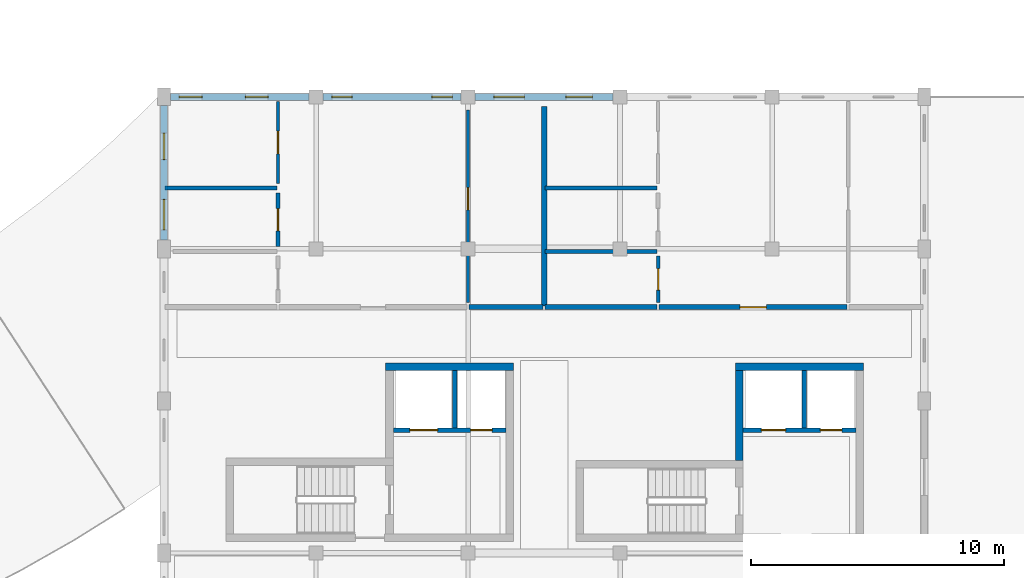
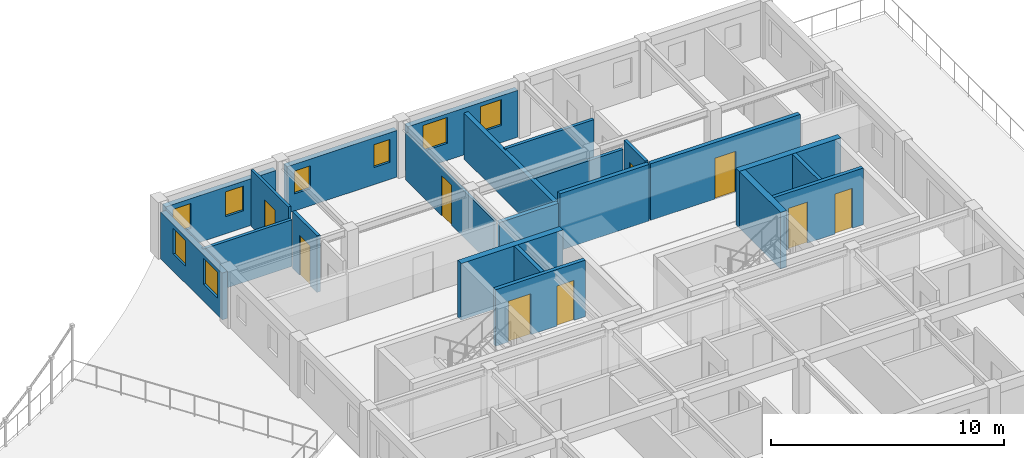
# One storey, part 32 of 58: 22 walls, 9 doors, 8 windows, 17 openings.
"""IFC4 building model written with IfcOpenShell, lengths in metres."""

from ifc_helpers import new_model, si_unit, direction, frame, frame_2d, origin, place, context, subcontext, project, spatial, rectangle, extrude, material, layer, layer_set, type_object, element, fill, save


model = new_model("IFC4")

# Units and contexts
model_context = context("Model", 3, precision=1e-05, world=origin(), true_north=direction((0.0, 1.0)))
body_context = subcontext(model_context, "Body", "Model", "MODEL_VIEW")
ifc_project = project(units=[si_unit("LENGTHUNIT", "METRE"), si_unit("AREAUNIT", "SQUARE_METRE"), si_unit("VOLUMEUNIT", "CUBIC_METRE"), si_unit("PLANEANGLEUNIT", "RADIAN"), si_unit("MASSUNIT", "GRAM", prefix="KILO"), si_unit("POWERUNIT", "WATT"), si_unit("THERMODYNAMICTEMPERATUREUNIT", "KELVIN")], contexts=[model_context])

# Site, building, storey
site_placement = place(None, origin())
site = spatial("IfcSite", under=ifc_project, at=site_placement, CompositionType="ELEMENT")
building_placement = place(site_placement, origin())
building = spatial("IfcBuilding", under=site, at=building_placement, Name="Ruvembo Vaulted Housing Court", CompositionType="ELEMENT")
storey_placement = place(building_placement, frame((0.0, 0.0, 20.5)))
storey = spatial("IfcBuildingStorey", under=building, at=storey_placement, Name="L06", CompositionType="ELEMENT", Elevation=20.5)

# Walls
ifc_material_1 = material(Name="Concrete C35/45", Category="concrete")
ifc_layer_1 = layer(ifc_material_1, 0.300048828125, Name="Concrete C35/45")
ifc_layer_set_1 = layer_set([ifc_layer_1], Name="Concrete C35/45")
wall_type_1 = type_object("IfcWallType", Name="WL-CORE-300", PredefinedType="SHEAR", material=ifc_layer_set_1)
for number, where, z_axis, x_axis, name in (
    (1, (115.800048828125, 19.35009765625, 0.0), (0.0, 0.0, 1.0), (-1.0, 0.0, 0.0), "Core C1 L06 North Shear Wall"),
    (2, (129.60009765625, 19.35009765625, 0.0), (0.0, 0.0, 1.0), (-1.0, 0.0, 0.0), "Core C2 L06 North Shear Wall"),
):
    element("IfcWall", number, at=place(storey_placement, frame(where, z_axis=z_axis, x_axis=x_axis)), inside=storey, type_object=wall_type_1, Name=name, PredefinedType="SHEAR", context=body_context, shape_type="SweptSolid", body=[
        extrude(rectangle(XDim=5.050048828125, YDim=0.300048828125, at=frame_2d((2.52490234375, 0.0))), origin(), (0.0, 0.0, 1.0), 2.969970703125),
    ])
wall_1_placement = place(storey_placement, frame((124.699951171875, 15.64990234375, 0.0), z_axis=(0.0, 0.0, 1.0), x_axis=(0.0, 1.0, 0.0)))
element("IfcWall", 3, at=wall_1_placement, inside=storey, type_object=wall_type_1, Name="Core C2 L06 Upper West Shear Wall", PredefinedType="SHEAR", context=body_context, shape_type="SweptSolid", body=[
    extrude(rectangle(XDim=3.550048828125, YDim=0.300048828125, at=frame_2d((1.77490234375, 0.0))), origin(), (0.0, 0.0, 1.0), 2.969970703125),
])
ifc_material_2 = material(Name="Concrete Blockwork 200", Category="masonry")
ifc_layer_2 = layer(ifc_material_2, 0.199951171875, Name="Concrete Blockwork 200")
ifc_layer_set_2 = layer_set([ifc_layer_2], Name="Concrete Blockwork 200")
wall_type_2 = type_object("IfcWallType", Name="WL-CORR-200", PredefinedType="SOLIDWALL", material=ifc_layer_set_2)
wall_2_placement = place(storey_placement, frame((114.0400390625, 21.699951171875, 0.0), z_axis=(0.0, 0.0, 1.0), x_axis=(1.0, 0.0, 0.0)))
element("IfcWall", 4, at=wall_2_placement, inside=storey, type_object=wall_type_2, Name="L06 Flat C-L06-N1 Corridor Wall 2 WL-INT-L06-01809", PredefinedType="SOLIDWALL", context=body_context, shape_type="SweptSolid", body=[
    extrude(rectangle(XDim=2.919921875, YDim=0.199951171875, at=frame_2d((1.4599609375, 0.0))), origin(), (0.0, 0.0, 1.0), 2.508056640625),
])
wall_3_placement = place(storey_placement, frame((117.0400390625, 21.699951171875, 0.0), z_axis=(0.0, 0.0, 1.0), x_axis=(1.0, 0.0, 0.0)))
element("IfcWall", 5, at=wall_3_placement, inside=storey, type_object=wall_type_2, Name="L06 Flat C-L06-N2 Corridor Wall WL-INT-L06-01811", PredefinedType="SOLIDWALL", context=body_context, shape_type="SweptSolid", body=[
    extrude(rectangle(XDim=4.419921875, YDim=0.199951171875, at=frame_2d((2.2099609375, 0.0))), origin(), (0.0, 0.0, 1.0), 2.969970703125),
])

# Wall, opening, door
wall_4_placement = place(storey_placement, frame((121.5400390625, 21.699951171875, 0.0), z_axis=(0.0, 0.0, 1.0), x_axis=(1.0, 0.0, 0.0)))
wall_4 = element("IfcWall", 6, at=wall_4_placement, inside=storey, type_object=wall_type_2, Name="L06 Flat C-L06-N2 Entrance WL-INT-L06-01812", PredefinedType="SOLIDWALL", context=body_context, shape_type="SweptSolid", body=[
    extrude(rectangle(XDim=7.419921875, YDim=0.199951171875, at=frame_2d((3.7099609375, 0.0))), origin(), (0.0, 0.0, 1.0), 2.969970703125),
])
opening_1_placement = place(wall_4_placement, frame((3.18505859375, 0.0, 0.0)))
opening_1 = element("IfcOpeningElement", 7, at=opening_1_placement, cuts=wall_4, Name="Opening FD3", PredefinedType="OPENING", context=body_context, shape_type="SweptSolid", body=[
    extrude(rectangle(XDim=1.050048828125, YDim=2.14990234375, at=frame_2d((0.52490234375, 1.074951171875))), frame((0.0, 0.10986328125, 0.0), z_axis=(0.0, -1.0, 0.0), x_axis=(1.0, 0.0, 0.0)), (0.0, 0.0, 1.0), 0.219970703125),
])
ifc_material_3 = material(Name="FSC Hardwood and Engineered Timber", Category="wood")
door_type_1 = type_object("IfcDoorType", Name="DR-FLAT-1050x2150", OperationType="NOTDEFINED", PredefinedType="DOOR", material=ifc_material_3)
door_1_placement = place(opening_1_placement, origin())
door_1 = element("IfcDoor", 8, at=door_1_placement, inside=storey, type_object=door_type_1, Name="L06 Flat C-L06-N2 Entrance Door DR-INT-L06-01022", OperationType="SINGLE_SWING_RIGHT", OverallHeight=2.14990234375, OverallWidth=1.050048828125, PredefinedType="DOOR", context=body_context, shape_type="SweptSolid", body=[
    extrude(rectangle(XDim=1.050048828125, YDim=2.14990234375, at=frame_2d((0.52490234375, 1.074951171875))), frame((0.0, 0.02490234375, 0.0), z_axis=(0.0, -1.0, 0.0), x_axis=(1.0, 0.0, 0.0)), (0.0, 0.0, 1.0), 0.050048828125),
])
fill(opening_1, door_1)

# Wall
ifc_material_4 = material(Name="Acoustic Masonry Demising 220", Category="masonry")
ifc_layer_3 = layer(ifc_material_4, 0.219970703125, Name="Acoustic Masonry Demising 220")
ifc_layer_set_3 = layer_set([ifc_layer_3], Name="Acoustic Masonry Demising 220")
wall_type_3 = type_object("IfcWallType", Name="WL-DEM-200", PredefinedType="SOLIDWALL", material=ifc_layer_set_3)
wall_5_placement = place(storey_placement, frame((117.0, 21.739990234375, 0.0), z_axis=(0.0, 0.0, 1.0), x_axis=(0.0, 1.0, 0.0)))
element("IfcWall", 9, at=wall_5_placement, inside=storey, type_object=wall_type_3, Name="L06 Demising C-L06-N1 WL-INT-L06-01801", PredefinedType="SOLIDWALL", context=body_context, shape_type="SweptSolid", body=[
    extrude(rectangle(XDim=7.8701171875, YDim=0.219970703125, at=frame_2d((3.93505859375, 0.0))), origin(), (0.0, 0.0, 1.0), 2.407958984375),
])

# Wall, openings, windows
ifc_material_5 = material(Name="Rendered Masonry 270", Category="masonry")
ifc_layer_4 = layer(ifc_material_5, 0.27001953125, Name="Rendered Masonry 270")
ifc_layer_set_4 = layer_set([ifc_layer_4], Name="Rendered Masonry 270")
wall_type_4 = type_object("IfcWallType", Name="WL-EXT-270", PredefinedType="STANDARD", material=ifc_layer_set_4)
wall_6_placement = place(storey_placement, frame((119.72509765625, 30.0, 0.0), z_axis=(0.0, 0.0, 1.0), x_axis=(-1.0, 0.0, 0.0)))
wall_6 = element("IfcWall", 10, at=wall_6_placement, inside=storey, type_object=wall_type_4, Name="Block C L06 Exterior Wall COURTYARD #3", PredefinedType="STANDARD", context=body_context, shape_type="SweptSolid", body=[
    extrude(rectangle(XDim=5.4501953125, YDim=0.27001953125, at=frame_2d((2.72509765625, 0.0))), origin(), (0.0, 0.0, 1.0), 2.451904296875),
])
opening_2_placement = place(wall_6_placement, frame((0.8173828125, 0.0, 0.89990234375)))
opening_2 = element("IfcOpeningElement", 11, at=opening_2_placement, cuts=wall_6, Name="Opening W09", PredefinedType="OPENING", context=body_context, shape_type="SweptSolid", body=[
    extrude(rectangle(XDim=1.050048828125, YDim=1.35009765625, at=frame_2d((0.52490234375, 0.675048828125))), frame((0.0, 0.14501953125, 0.0), z_axis=(0.0, -1.0, 0.0), x_axis=(1.0, 0.0, 0.0)), (0.0, 0.0, 1.0), 0.2900390625),
])
opening_3_placement = place(wall_6_placement, frame((3.507568359375, 0.0, 0.89990234375)))
opening_3 = element("IfcOpeningElement", 12, at=opening_3_placement, cuts=wall_6, Name="Opening W12", PredefinedType="OPENING", context=body_context, shape_type="SweptSolid", body=[
    extrude(rectangle(XDim=1.199951171875, YDim=1.35009765625, at=frame_2d((0.60009765625, 0.675048828125))), frame((0.0, 0.14501953125, 0.0), z_axis=(0.0, -1.0, 0.0), x_axis=(1.0, 0.0, 0.0)), (0.0, 0.0, 1.0), 0.2900390625),
])
ifc_material_6 = material(Name="Double Solar-Control Glazing in Aluminium Frame", Category="aluminium")
window_type_1 = type_object("IfcWindowType", Name="WIN-1050x1350", PartitioningType="SINGLE_PANEL", PredefinedType="WINDOW", material=ifc_material_6)
window_1_placement = place(opening_2_placement, origin())
window_1 = element("IfcWindow", 13, at=window_1_placement, inside=storey, type_object=window_type_1, Name="Block C L06 Window #1348", OverallHeight=1.35009765625, OverallWidth=1.050048828125, PartitioningType="SINGLE_PANEL", PredefinedType="WINDOW", context=body_context, shape_type="SweptSolid", body=[
    extrude(rectangle(XDim=1.050048828125, YDim=1.35009765625, at=frame_2d((0.52490234375, 0.675048828125))), frame((0.0, 0.030029296875, 0.0), z_axis=(0.0, -1.0, 0.0), x_axis=(1.0, 0.0, 0.0)), (0.0, 0.0, 1.0), 0.06005859375),
])
fill(opening_2, window_1)
window_type_2 = type_object("IfcWindowType", Name="WIN-1200x1350", PartitioningType="SINGLE_PANEL", PredefinedType="WINDOW", material=ifc_material_6)
window_2_placement = place(opening_3_placement, origin())
window_2 = element("IfcWindow", 14, at=window_2_placement, inside=storey, type_object=window_type_2, Name="Block C L06 Window #1349", OverallHeight=1.35009765625, OverallWidth=1.199951171875, PartitioningType="SINGLE_PANEL", PredefinedType="WINDOW", context=body_context, shape_type="SweptSolid", body=[
    extrude(rectangle(XDim=1.199951171875, YDim=1.35009765625, at=frame_2d((0.60009765625, 0.675048828125))), frame((0.0, 0.030029296875, 0.0), z_axis=(0.0, -1.0, 0.0), x_axis=(1.0, 0.0, 0.0)), (0.0, 0.0, 1.0), 0.06005859375),
])
fill(opening_3, window_2)

wall_7_placement = place(storey_placement, frame((113.72509765625, 30.0, 0.0), z_axis=(0.0, 0.0, 1.0), x_axis=(-1.0, 0.0, 0.0)))
wall_7 = element("IfcWall", 15, at=wall_7_placement, inside=storey, type_object=wall_type_4, Name="Block C L06 Exterior Wall COURTYARD #4", PredefinedType="STANDARD", context=body_context, shape_type="SweptSolid", body=[
    extrude(rectangle(XDim=5.4501953125, YDim=0.27001953125, at=frame_2d((2.72509765625, 0.0))), origin(), (0.0, 0.0, 1.0), 2.451904296875),
])
opening_4_placement = place(wall_7_placement, frame((0.35009765625, 0.0, 0.89990234375)))
opening_4 = element("IfcOpeningElement", 16, at=opening_4_placement, cuts=wall_7, Name="Opening W02", PredefinedType="OPENING", context=body_context, shape_type="SweptSolid", body=[
    extrude(rectangle(XDim=0.800048828125, YDim=1.199951171875, at=frame_2d((0.39990234375, 0.60009765625))), frame((0.0, 0.14501953125, 0.0), z_axis=(0.0, -1.0, 0.0), x_axis=(1.0, 0.0, 0.0)), (0.0, 0.0, 1.0), 0.2900390625),
])
opening_5_placement = place(wall_7_placement, frame((4.300048828125, 0.0, 0.89990234375)))
opening_5 = element("IfcOpeningElement", 17, at=opening_5_placement, cuts=wall_7, Name="Opening W02", PredefinedType="OPENING", context=body_context, shape_type="SweptSolid", body=[
    extrude(rectangle(XDim=0.800048828125, YDim=1.199951171875, at=frame_2d((0.39990234375, 0.60009765625))), frame((0.0, 0.14501953125, 0.0), z_axis=(0.0, -1.0, 0.0), x_axis=(1.0, 0.0, 0.0)), (0.0, 0.0, 1.0), 0.2900390625),
])
window_type_3 = type_object("IfcWindowType", Name="WIN-0800x1200", PartitioningType="SINGLE_PANEL", PredefinedType="WINDOW", material=ifc_material_6)
window_3_placement = place(opening_4_placement, origin())
window_3 = element("IfcWindow", 18, at=window_3_placement, inside=storey, type_object=window_type_3, Name="Block C L06 Window #1350", OverallHeight=1.199951171875, OverallWidth=0.800048828125, PartitioningType="SINGLE_PANEL", PredefinedType="WINDOW", context=body_context, shape_type="SweptSolid", body=[
    extrude(rectangle(XDim=0.800048828125, YDim=1.199951171875, at=frame_2d((0.39990234375, 0.60009765625))), frame((0.0, 0.030029296875, 0.0), z_axis=(0.0, -1.0, 0.0), x_axis=(1.0, 0.0, 0.0)), (0.0, 0.0, 1.0), 0.06005859375),
])
fill(opening_4, window_3)
window_4_placement = place(opening_5_placement, origin())
window_4 = element("IfcWindow", 19, at=window_4_placement, inside=storey, type_object=window_type_3, Name="Block C L06 Window #1351", OverallHeight=1.199951171875, OverallWidth=0.800048828125, PartitioningType="SINGLE_PANEL", PredefinedType="WINDOW", context=body_context, shape_type="SweptSolid", body=[
    extrude(rectangle(XDim=0.800048828125, YDim=1.199951171875, at=frame_2d((0.39990234375, 0.60009765625))), frame((0.0, 0.030029296875, 0.0), z_axis=(0.0, -1.0, 0.0), x_axis=(1.0, 0.0, 0.0)), (0.0, 0.0, 1.0), 0.06005859375),
])
fill(opening_5, window_4)

wall_8_placement = place(storey_placement, frame((107.72509765625, 30.0, 0.0), z_axis=(0.0, 0.0, 1.0), x_axis=(-1.0, 0.0, 0.0)))
wall_8 = element("IfcWall", 20, at=wall_8_placement, inside=storey, type_object=wall_type_4, Name="Block C L06 Exterior Wall COURTYARD #5", PredefinedType="STANDARD", context=body_context, shape_type="SweptSolid", body=[
    extrude(rectangle(XDim=5.47509765625, YDim=0.27001953125, at=frame_2d((2.737548828125, 0.0))), origin(), (0.0, 0.0, 1.0), 2.451904296875),
])
opening_6_placement = place(wall_8_placement, frame((1.614990234375, 0.0, 0.89990234375)))
opening_6 = element("IfcOpeningElement", 21, at=opening_6_placement, cuts=wall_8, Name="Opening W04", PredefinedType="OPENING", context=body_context, shape_type="SweptSolid", body=[
    extrude(rectangle(XDim=0.89990234375, YDim=1.300048828125, at=frame_2d((0.449951171875, 0.64990234375))), frame((0.0, 0.14501953125, 0.0), z_axis=(0.0, -1.0, 0.0), x_axis=(1.0, 0.0, 0.0)), (0.0, 0.0, 1.0), 0.2900390625),
])
opening_7_placement = place(wall_8_placement, frame((4.22509765625, 0.0, 0.89990234375)))
opening_7 = element("IfcOpeningElement", 22, at=opening_7_placement, cuts=wall_8, Name="Opening W04", PredefinedType="OPENING", context=body_context, shape_type="SweptSolid", body=[
    extrude(rectangle(XDim=0.89990234375, YDim=1.300048828125, at=frame_2d((0.449951171875, 0.64990234375))), frame((0.0, 0.14501953125, 0.0), z_axis=(0.0, -1.0, 0.0), x_axis=(1.0, 0.0, 0.0)), (0.0, 0.0, 1.0), 0.2900390625),
])
window_type_4 = type_object("IfcWindowType", Name="WIN-0900x1300", PartitioningType="SINGLE_PANEL", PredefinedType="WINDOW", material=ifc_material_6)
window_5_placement = place(opening_6_placement, origin())
window_5 = element("IfcWindow", 23, at=window_5_placement, inside=storey, type_object=window_type_4, Name="Block C L06 Window #1352", OverallHeight=1.300048828125, OverallWidth=0.89990234375, PartitioningType="SINGLE_PANEL", PredefinedType="WINDOW", context=body_context, shape_type="SweptSolid", body=[
    extrude(rectangle(XDim=0.89990234375, YDim=1.300048828125, at=frame_2d((0.449951171875, 0.64990234375))), frame((0.0, 0.030029296875, 0.0), z_axis=(0.0, -1.0, 0.0), x_axis=(1.0, 0.0, 0.0)), (0.0, 0.0, 1.0), 0.06005859375),
])
fill(opening_6, window_5)
window_6_placement = place(opening_7_placement, origin())
window_6 = element("IfcWindow", 24, at=window_6_placement, inside=storey, type_object=window_type_4, Name="Block C L06 Window #1353", OverallHeight=1.300048828125, OverallWidth=0.89990234375, PartitioningType="SINGLE_PANEL", PredefinedType="WINDOW", context=body_context, shape_type="SweptSolid", body=[
    extrude(rectangle(XDim=0.89990234375, YDim=1.300048828125, at=frame_2d((0.449951171875, 0.64990234375))), frame((0.0, 0.030029296875, 0.0), z_axis=(0.0, -1.0, 0.0), x_axis=(1.0, 0.0, 0.0)), (0.0, 0.0, 1.0), 0.06005859375),
])
fill(opening_7, window_6)

wall_9_placement = place(storey_placement, frame((102.0, 29.64990234375, 0.0), z_axis=(0.0, 0.0, 1.0), x_axis=(0.0, -1.0, 0.0)))
wall_9 = element("IfcWall", 25, at=wall_9_placement, inside=storey, type_object=wall_type_4, Name="Block C L06 Exterior Wall WEST #1", PredefinedType="STANDARD", context=body_context, shape_type="SweptSolid", body=[
    extrude(rectangle(XDim=5.2998046875, YDim=0.27001953125, at=frame_2d((2.64990234375, 0.0))), origin(), (0.0, 0.0, 1.0), 2.451904296875),
])
opening_8_placement = place(wall_9_placement, frame((1.080078125, 0.0, 0.89990234375)))
opening_8 = element("IfcOpeningElement", 26, at=opening_8_placement, cuts=wall_9, Name="Opening W09", PredefinedType="OPENING", context=body_context, shape_type="SweptSolid", body=[
    extrude(rectangle(XDim=1.050048828125, YDim=1.35009765625, at=frame_2d((0.52490234375, 0.675048828125))), frame((0.0, 0.14501953125, 0.0), z_axis=(0.0, -1.0, 0.0), x_axis=(1.0, 0.0, 0.0)), (0.0, 0.0, 1.0), 0.2900390625),
])
opening_9_placement = place(wall_9_placement, frame((3.695068359375, 0.0, 0.89990234375)))
opening_9 = element("IfcOpeningElement", 27, at=opening_9_placement, cuts=wall_9, Name="Opening W12", PredefinedType="OPENING", context=body_context, shape_type="SweptSolid", body=[
    extrude(rectangle(XDim=1.199951171875, YDim=1.35009765625, at=frame_2d((0.60009765625, 0.675048828125))), frame((0.0, 0.14501953125, 0.0), z_axis=(0.0, -1.0, 0.0), x_axis=(1.0, 0.0, 0.0)), (0.0, 0.0, 1.0), 0.2900390625),
])
window_7_placement = place(opening_8_placement, origin())
window_7 = element("IfcWindow", 28, at=window_7_placement, inside=storey, type_object=window_type_1, Name="Block C L06 Window #1354", OverallHeight=1.35009765625, OverallWidth=1.050048828125, PartitioningType="SINGLE_PANEL", PredefinedType="WINDOW", context=body_context, shape_type="SweptSolid", body=[
    extrude(rectangle(XDim=1.050048828125, YDim=1.35009765625, at=frame_2d((0.52490234375, 0.675048828125))), frame((0.0, 0.030029296875, 0.0), z_axis=(0.0, -1.0, 0.0), x_axis=(1.0, 0.0, 0.0)), (0.0, 0.0, 1.0), 0.06005859375),
])
fill(opening_8, window_7)
window_8_placement = place(opening_9_placement, origin())
window_8 = element("IfcWindow", 29, at=window_8_placement, inside=storey, type_object=window_type_2, Name="Block C L06 Window #1355", OverallHeight=1.35009765625, OverallWidth=1.199951171875, PartitioningType="SINGLE_PANEL", PredefinedType="WINDOW", context=body_context, shape_type="SweptSolid", body=[
    extrude(rectangle(XDim=1.199951171875, YDim=1.35009765625, at=frame_2d((0.60009765625, 0.675048828125))), frame((0.0, 0.030029296875, 0.0), z_axis=(0.0, -1.0, 0.0), x_axis=(1.0, 0.0, 0.0)), (0.0, 0.0, 1.0), 0.06005859375),
])
fill(opening_9, window_8)

# Wall, opening, door
ifc_material_7 = material(Name="Plasterboard Stud Partition 125", Category="gypsum")
ifc_layer_5 = layer(ifc_material_7, 0.125, Name="Plasterboard Stud Partition 125")
ifc_layer_set_5 = layer_set([ifc_layer_5], Name="Plasterboard Stud Partition 125")
wall_type_5 = type_object("IfcWallType", Name="WL-PART-125", PredefinedType="PARTITIONING", material=ifc_layer_set_5)
wall_10_placement = place(storey_placement, frame((106.5, 26.590087890625, 0.0), z_axis=(0.0, 0.0, 1.0), x_axis=(0.0, 1.0, 0.0)))
wall_10 = element("IfcWall", 30, at=wall_10_placement, inside=storey, type_object=wall_type_5, Name="L06 Flat C-L06-N1 Bedroom 1 WL-INT-L06-01804", PredefinedType="PARTITIONING", context=body_context, shape_type="SweptSolid", body=[
    extrude(rectangle(XDim=3.219970703125, YDim=0.125, at=frame_2d((1.60986328125, 0.0))), origin(), (0.0, 0.0, 1.0), 2.969970703125),
])
opening_10_placement = place(wall_10_placement, frame((1.159912109375, 0.0, 0.0)))
opening_10 = element("IfcOpeningElement", 31, at=opening_10_placement, cuts=wall_10, Name="Opening ID1", PredefinedType="OPENING", context=body_context, shape_type="SweptSolid", body=[
    extrude(rectangle(XDim=0.89990234375, YDim=2.10009765625, at=frame_2d((0.449951171875, 1.050048828125))), frame((0.0, 0.072509765625, 0.0), z_axis=(0.0, -1.0, 0.0), x_axis=(1.0, 0.0, 0.0)), (0.0, 0.0, 1.0), 0.14501953125),
])
door_type_2 = type_object("IfcDoorType", Name="DR-ROOM-0900x2100", OperationType="NOTDEFINED", PredefinedType="DOOR", material=ifc_material_3)
door_2_placement = place(opening_10_placement, origin())
door_2 = element("IfcDoor", 32, at=door_2_placement, inside=storey, type_object=door_type_2, Name="L06 Flat C-L06-N1 Bedroom 1 Door DR-INT-L06-01018", OperationType="SINGLE_SWING_RIGHT", OverallHeight=2.10009765625, OverallWidth=0.89990234375, PredefinedType="DOOR", context=body_context, shape_type="SweptSolid", body=[
    extrude(rectangle(XDim=0.89990234375, YDim=2.10009765625, at=frame_2d((0.449951171875, 1.050048828125))), frame((0.0, 0.02490234375, 0.0), z_axis=(0.0, -1.0, 0.0), x_axis=(1.0, 0.0, 0.0)), (0.0, 0.0, 1.0), 0.050048828125),
])
fill(opening_10, door_2)

wall_11_placement = place(storey_placement, frame((114.0, 21.889892578125, 0.0), z_axis=(0.0, 0.0, 1.0), x_axis=(0.0, 1.0, 0.0)))
wall_11 = element("IfcWall", 33, at=wall_11_placement, inside=storey, type_object=wall_type_5, Name="L06 Flat C-L06-N1 Bedroom 2 WL-INT-L06-01810", PredefinedType="PARTITIONING", context=body_context, shape_type="SweptSolid", body=[
    extrude(rectangle(XDim=7.60009765625, YDim=0.125, at=frame_2d((3.800048828125, 0.0))), origin(), (0.0, 0.0, 1.0), 2.4580078125),
])
opening_11_placement = place(wall_11_placement, frame((3.64990234375, 0.0, 0.0)))
opening_11 = element("IfcOpeningElement", 34, at=opening_11_placement, cuts=wall_11, Name="Opening ID3", PredefinedType="OPENING", context=body_context, shape_type="SweptSolid", body=[
    extrude(rectangle(XDim=0.8798828125, YDim=2.10009765625, at=frame_2d((0.43994140625, 1.050048828125))), frame((0.0, 0.072509765625, 0.0), z_axis=(0.0, -1.0, 0.0), x_axis=(1.0, 0.0, 0.0)), (0.0, 0.0, 1.0), 0.14501953125),
])
door_type_3 = type_object("IfcDoorType", Name="DR-ROOM-0880x2100", OperationType="NOTDEFINED", PredefinedType="DOOR", material=ifc_material_3)
door_3_placement = place(opening_11_placement, origin())
door_3 = element("IfcDoor", 35, at=door_3_placement, inside=storey, type_object=door_type_3, Name="L06 Flat C-L06-N1 Bedroom 2 Door DR-INT-L06-01021", OperationType="SINGLE_SWING_LEFT", OverallHeight=2.10009765625, OverallWidth=0.8798828125, PredefinedType="DOOR", context=body_context, shape_type="SweptSolid", body=[
    extrude(rectangle(XDim=0.8798828125, YDim=2.10009765625, at=frame_2d((0.43994140625, 1.050048828125))), frame((0.0, 0.02490234375, 0.0), z_axis=(0.0, -1.0, 0.0), x_axis=(1.0, 0.0, 0.0)), (0.0, 0.0, 1.0), 0.050048828125),
])
fill(opening_11, door_3)

# Wall
ifc_material_8 = material(Name="Moisture-Resistant Wet Partition 150", Category="gypsum")
ifc_layer_6 = layer(ifc_material_8, 0.14990234375, Name="Moisture-Resistant Wet Partition 150")
ifc_layer_set_6 = layer_set([ifc_layer_6], Name="Moisture-Resistant Wet Partition 150")
wall_type_6 = type_object("IfcWallType", Name="WL-PART-150", PredefinedType="PARTITIONING", material=ifc_layer_set_6)
wall_12_placement = place(storey_placement, frame((102.0400390625, 26.39990234375, 0.0), z_axis=(0.0, 0.0, 1.0), x_axis=(1.0, 0.0, 0.0)))
element("IfcWall", 36, at=wall_12_placement, inside=storey, type_object=wall_type_6, Name="L06 Flat C-L06-N1 Wet Wall 1 WL-INT-L06-01807", PredefinedType="PARTITIONING", context=body_context, shape_type="SweptSolid", body=[
    extrude(rectangle(XDim=4.419921875, YDim=0.14990234375, at=frame_2d((2.2099609375, 0.0))), origin(), (0.0, 0.0, 1.0), 2.451904296875),
])

# Wall, opening, door
wall_13_placement = place(storey_placement, frame((121.5, 21.889892578125, 0.0), z_axis=(0.0, 0.0, 1.0), x_axis=(0.0, 1.0, 0.0)))
wall_13 = element("IfcWall", 37, at=wall_13_placement, inside=storey, type_object=wall_type_6, Name="L06 Flat C-L06-N2 Bathroom WL-INT-L06-01815", PredefinedType="PARTITIONING", context=body_context, shape_type="SweptSolid", body=[
    extrude(rectangle(XDim=1.820068359375, YDim=0.14990234375, at=frame_2d((0.91015625, 0.0))), origin(), (0.0, 0.0, 1.0), 2.969970703125),
])
opening_12_placement = place(wall_13_placement, frame((0.485107421875, 0.0, 0.0)))
opening_12 = element("IfcOpeningElement", 38, at=opening_12_placement, cuts=wall_13, Name="Opening ID2", PredefinedType="OPENING", context=body_context, shape_type="SweptSolid", body=[
    extrude(rectangle(XDim=0.85009765625, YDim=2.10009765625, at=frame_2d((0.425048828125, 1.050048828125))), frame((0.0, 0.0849609375, 0.0), z_axis=(0.0, -1.0, 0.0), x_axis=(1.0, 0.0, 0.0)), (0.0, 0.0, 1.0), 0.169921875),
])
door_type_4 = type_object("IfcDoorType", Name="DR-WET-0850x2100", OperationType="NOTDEFINED", PredefinedType="DOOR", material=ifc_material_3)
door_4_placement = place(opening_12_placement, origin())
door_4 = element("IfcDoor", 39, at=door_4_placement, inside=storey, type_object=door_type_4, Name="L06 Flat C-L06-N2 Bathroom Door DR-INT-L06-01025", OperationType="SINGLE_SWING_LEFT", OverallHeight=2.10009765625, OverallWidth=0.85009765625, PredefinedType="DOOR", context=body_context, shape_type="SweptSolid", body=[
    extrude(rectangle(XDim=0.85009765625, YDim=2.10009765625, at=frame_2d((0.425048828125, 1.050048828125))), frame((0.0, 0.02490234375, 0.0), z_axis=(0.0, -1.0, 0.0), x_axis=(1.0, 0.0, 0.0)), (0.0, 0.0, 1.0), 0.050048828125),
])
fill(opening_12, door_4)

# Walls
wall_14_placement = place(storey_placement, frame((117.0400390625, 26.39990234375, 0.0), z_axis=(0.0, 0.0, 1.0), x_axis=(1.0, 0.0, 0.0)))
element("IfcWall", 40, at=wall_14_placement, inside=storey, type_object=wall_type_6, Name="L06 Flat C-L06-N2 Wet Wall 1 WL-INT-L06-01816", PredefinedType="PARTITIONING", context=body_context, shape_type="SweptSolid", body=[
    extrude(rectangle(XDim=4.419921875, YDim=0.14990234375, at=frame_2d((2.2099609375, 0.0))), origin(), (0.0, 0.0, 1.0), 2.4580078125),
])
wall_15_placement = place(storey_placement, frame((117.0400390625, 23.89990234375, 0.0), z_axis=(0.0, 0.0, 1.0), x_axis=(1.0, 0.0, 0.0)))
element("IfcWall", 41, at=wall_15_placement, inside=storey, type_object=wall_type_6, Name="L06 Flat C-L06-N2 Wet Wall 2 WL-INT-L06-01817", PredefinedType="PARTITIONING", context=body_context, shape_type="SweptSolid", body=[
    extrude(rectangle(XDim=4.419921875, YDim=0.14990234375, at=frame_2d((2.2099609375, 0.0))), origin(), (0.0, 0.0, 1.0), 2.407958984375),
])

# Wall, opening, door
ifc_material_9 = material(Name="Acoustic Service Chase Wall 160", Category="gypsum")
ifc_layer_7 = layer(ifc_material_9, 0.159912109375, Name="Acoustic Service Chase Wall 160")
ifc_layer_set_7 = layer_set([ifc_layer_7], Name="Acoustic Service Chase Wall 160")
wall_type_7 = type_object("IfcWallType", Name="WL-PLUMB-160", PredefinedType="PLUMBINGWALL", material=ifc_layer_set_7)
wall_16_placement = place(storey_placement, frame((106.5, 24.090087890625, 0.0), z_axis=(0.0, 0.0, 1.0), x_axis=(0.0, 1.0, 0.0)))
wall_16 = element("IfcWall", 42, at=wall_16_placement, inside=storey, type_object=wall_type_7, Name="L06 Flat C-L06-N1 Kitchen WL-INT-L06-01805", PredefinedType="PLUMBINGWALL", context=body_context, shape_type="SweptSolid", body=[
    extrude(rectangle(XDim=2.119873046875, YDim=0.159912109375, at=frame_2d((1.06005859375, 0.0))), origin(), (0.0, 0.0, 1.0), 2.969970703125),
])
opening_13_placement = place(wall_16_placement, frame((0.6201171875, 0.0, 0.0)))
opening_13 = element("IfcOpeningElement", 43, at=opening_13_placement, cuts=wall_16, Name="Opening ID3", PredefinedType="OPENING", context=body_context, shape_type="SweptSolid", body=[
    extrude(rectangle(XDim=0.8798828125, YDim=2.10009765625, at=frame_2d((0.43994140625, 1.050048828125))), frame((0.0, 0.08984375, 0.0), z_axis=(0.0, -1.0, 0.0), x_axis=(1.0, 0.0, 0.0)), (0.0, 0.0, 1.0), 0.179931640625),
])
door_5_placement = place(opening_13_placement, origin())
door_5 = element("IfcDoor", 44, at=door_5_placement, inside=storey, type_object=door_type_3, Name="L06 Flat C-L06-N1 Kitchen Door DR-INT-L06-01019", OperationType="SINGLE_SWING_LEFT", OverallHeight=2.10009765625, OverallWidth=0.8798828125, PredefinedType="DOOR", context=body_context, shape_type="SweptSolid", body=[
    extrude(rectangle(XDim=0.8798828125, YDim=2.10009765625, at=frame_2d((0.43994140625, 1.050048828125))), frame((0.0, 0.02490234375, 0.0), z_axis=(0.0, -1.0, 0.0), x_axis=(1.0, 0.0, 0.0)), (0.0, 0.0, 1.0), 0.050048828125),
])
fill(opening_13, door_5)

# Wall, openings, doors
ifc_material_10 = material(Name="Fire-Rated Masonry Shaft 180", Category="masonry")
ifc_layer_8 = layer(ifc_material_10, 0.179931640625, Name="Fire-Rated Masonry Shaft 180")
ifc_layer_set_8 = layer_set([ifc_layer_8], Name="Fire-Rated Masonry Shaft 180")
wall_type_8 = type_object("IfcWallType", Name="WL-SHAFT-180", PredefinedType="SOLIDWALL", material=ifc_layer_set_8)
wall_17_placement = place(storey_placement, frame((111.050048828125, 16.85009765625, 0.0), z_axis=(0.0, 0.0, 1.0), x_axis=(1.0, 0.0, 0.0)))
wall_17 = element("IfcWall", 45, at=wall_17_placement, inside=storey, type_object=wall_type_8, Name="Core C1 L06 Lift and Riser Front Wall", PredefinedType="SOLIDWALL", context=body_context, shape_type="SweptSolid", body=[
    extrude(rectangle(XDim=4.449951171875, YDim=0.179931640625, at=frame_2d((2.22509765625, 0.0))), origin(), (0.0, 0.0, 1.0), 2.969970703125),
])
opening_14_placement = place(wall_17_placement, frame((0.64990234375, 0.0, 0.0)))
opening_14 = element("IfcOpeningElement", 46, at=opening_14_placement, cuts=wall_17, Name="Opening LD-LP-C1-L06", PredefinedType="OPENING", context=body_context, shape_type="SweptSolid", body=[
    extrude(rectangle(XDim=1.10009765625, YDim=2.14990234375, at=frame_2d((0.550048828125, 1.074951171875))), frame((0.0, 0.099853515625, 0.0), z_axis=(0.0, -1.0, 0.0), x_axis=(1.0, 0.0, 0.0)), (0.0, 0.0, 1.0), 0.199951171875),
])
opening_15_placement = place(wall_17_placement, frame((3.050048828125, 0.0, 0.0)))
opening_15 = element("IfcOpeningElement", 47, at=opening_15_placement, cuts=wall_17, Name="Opening RD1", PredefinedType="OPENING", context=body_context, shape_type="SweptSolid", body=[
    extrude(rectangle(XDim=0.85009765625, YDim=2.10009765625, at=frame_2d((0.425048828125, 1.050048828125))), frame((0.0, 0.099853515625, 0.0), z_axis=(0.0, -1.0, 0.0), x_axis=(1.0, 0.0, 0.0)), (0.0, 0.0, 1.0), 0.199951171875),
])
ifc_material_11 = material(Name="Brushed Stainless Steel 304", Category="steel")
door_type_5 = type_object("IfcDoorType", Name="DR-LIFT-1100x2150", OperationType="NOTDEFINED", PredefinedType="DOOR", material=ifc_material_11)
door_6_placement = place(opening_14_placement, origin())
door_6 = element("IfcDoor", 48, at=door_6_placement, inside=storey, type_object=door_type_5, Name="Lift LP-C1 L06 Sliding Landing Door", OperationType="SLIDING_TO_LEFT", OverallHeight=2.14990234375, OverallWidth=1.10009765625, PredefinedType="DOOR", context=body_context, shape_type="SweptSolid", body=[
    extrude(rectangle(XDim=1.10009765625, YDim=2.14990234375, at=frame_2d((0.550048828125, 1.074951171875))), frame((0.0, 0.02490234375, 0.0), z_axis=(0.0, -1.0, 0.0), x_axis=(1.0, 0.0, 0.0)), (0.0, 0.0, 1.0), 0.050048828125),
])
fill(opening_14, door_6)
ifc_material_12 = material(Name="Galvanised Painted Steel", Category="steel")
door_type_6 = type_object("IfcDoorType", Name="DR-RISER-0850x2100", OperationType="NOTDEFINED", PredefinedType="DOOR", material=ifc_material_12)
door_7_placement = place(opening_15_placement, frame((0.85009765625, 0.0, 0.0), z_axis=(0.0, 0.0, 1.0), x_axis=(-1.0, 0.0, 0.0)))
door_7 = element("IfcDoor", 49, at=door_7_placement, inside=storey, type_object=door_type_6, Name="Core C1 L06 Service Riser Door", OperationType="SINGLE_SWING_RIGHT", OverallHeight=2.10009765625, OverallWidth=0.85009765625, PredefinedType="DOOR", context=body_context, shape_type="SweptSolid", body=[
    extrude(rectangle(XDim=0.85009765625, YDim=2.10009765625, at=frame_2d((0.425048828125, 1.050048828125))), frame((0.0, 0.02490234375, 0.0), z_axis=(0.0, -1.0, 0.0), x_axis=(1.0, 0.0, 0.0)), (0.0, 0.0, 1.0), 0.050048828125),
])
fill(opening_15, door_7)

# Wall
wall_18_placement = place(storey_placement, frame((113.469970703125, 16.93994140625, 0.0), z_axis=(0.0, 0.0, 1.0), x_axis=(0.0, 1.0, 0.0)))
element("IfcWall", 50, at=wall_18_placement, inside=storey, type_object=wall_type_8, Name="Core C1 L06 Shaft-Riser Divider Wall", PredefinedType="SOLIDWALL", context=body_context, shape_type="SweptSolid", body=[
    extrude(rectangle(XDim=2.260009765625, YDim=0.179931640625, at=frame_2d((1.1298828125, 0.0))), origin(), (0.0, 0.0, 1.0), 2.969970703125),
])

# Wall, openings, doors
wall_19_placement = place(storey_placement, frame((124.85009765625, 16.85009765625, 0.0), z_axis=(0.0, 0.0, 1.0), x_axis=(1.0, 0.0, 0.0)))
wall_19 = element("IfcWall", 51, at=wall_19_placement, inside=storey, type_object=wall_type_8, Name="Core C2 L06 Lift and Riser Front Wall", PredefinedType="SOLIDWALL", context=body_context, shape_type="SweptSolid", body=[
    extrude(rectangle(XDim=4.449951171875, YDim=0.179931640625, at=frame_2d((2.22509765625, 0.0))), origin(), (0.0, 0.0, 1.0), 2.969970703125),
])
opening_16_placement = place(wall_19_placement, frame((0.72509765625, 0.0, 0.0)))
opening_16 = element("IfcOpeningElement", 52, at=opening_16_placement, cuts=wall_19, Name="Opening LD-LP-C2-L06", PredefinedType="OPENING", context=body_context, shape_type="SweptSolid", body=[
    extrude(rectangle(XDim=0.949951171875, YDim=2.14990234375, at=frame_2d((0.47509765625, 1.074951171875))), frame((0.0, 0.099853515625, 0.0), z_axis=(0.0, -1.0, 0.0), x_axis=(1.0, 0.0, 0.0)), (0.0, 0.0, 1.0), 0.199951171875),
])
opening_17_placement = place(wall_19_placement, frame((3.050048828125, 0.0, 0.0)))
opening_17 = element("IfcOpeningElement", 53, at=opening_17_placement, cuts=wall_19, Name="Opening RD1", PredefinedType="OPENING", context=body_context, shape_type="SweptSolid", body=[
    extrude(rectangle(XDim=0.85009765625, YDim=2.10009765625, at=frame_2d((0.425048828125, 1.050048828125))), frame((0.0, 0.099853515625, 0.0), z_axis=(0.0, -1.0, 0.0), x_axis=(1.0, 0.0, 0.0)), (0.0, 0.0, 1.0), 0.199951171875),
])
door_type_7 = type_object("IfcDoorType", Name="DR-LIFT-0950x2150", OperationType="NOTDEFINED", PredefinedType="DOOR", material=ifc_material_11)
door_8_placement = place(opening_16_placement, origin())
door_8 = element("IfcDoor", 54, at=door_8_placement, inside=storey, type_object=door_type_7, Name="Lift LP-C2 L06 Sliding Landing Door", OperationType="SLIDING_TO_LEFT", OverallHeight=2.14990234375, OverallWidth=0.949951171875, PredefinedType="DOOR", context=body_context, shape_type="SweptSolid", body=[
    extrude(rectangle(XDim=0.949951171875, YDim=2.14990234375, at=frame_2d((0.47509765625, 1.074951171875))), frame((0.0, 0.02490234375, 0.0), z_axis=(0.0, -1.0, 0.0), x_axis=(1.0, 0.0, 0.0)), (0.0, 0.0, 1.0), 0.050048828125),
])
fill(opening_16, door_8)
door_9_placement = place(opening_17_placement, frame((0.85009765625, 0.0, 0.0), z_axis=(0.0, 0.0, 1.0), x_axis=(-1.0, 0.0, 0.0)))
door_9 = element("IfcDoor", 55, at=door_9_placement, inside=storey, type_object=door_type_6, Name="Core C2 L06 Service Riser Door", OperationType="SINGLE_SWING_LEFT", OverallHeight=2.10009765625, OverallWidth=0.85009765625, PredefinedType="DOOR", context=body_context, shape_type="SweptSolid", body=[
    extrude(rectangle(XDim=0.85009765625, YDim=2.10009765625, at=frame_2d((0.425048828125, 1.050048828125))), frame((0.0, 0.02490234375, 0.0), z_axis=(0.0, -1.0, 0.0), x_axis=(1.0, 0.0, 0.0)), (0.0, 0.0, 1.0), 0.050048828125),
])
fill(opening_17, door_9)

# Wall
wall_20_placement = place(storey_placement, frame((127.27001953125, 16.93994140625, 0.0), z_axis=(0.0, 0.0, 1.0), x_axis=(0.0, 1.0, 0.0)))
element("IfcWall", 56, at=wall_20_placement, inside=storey, type_object=wall_type_8, Name="Core C2 L06 Shaft-Riser Divider Wall", PredefinedType="SOLIDWALL", context=body_context, shape_type="SweptSolid", body=[
    extrude(rectangle(XDim=2.260009765625, YDim=0.179931640625, at=frame_2d((1.1298828125, 0.0))), origin(), (0.0, 0.0, 1.0), 2.969970703125),
])

save(model, "model.ifc")
